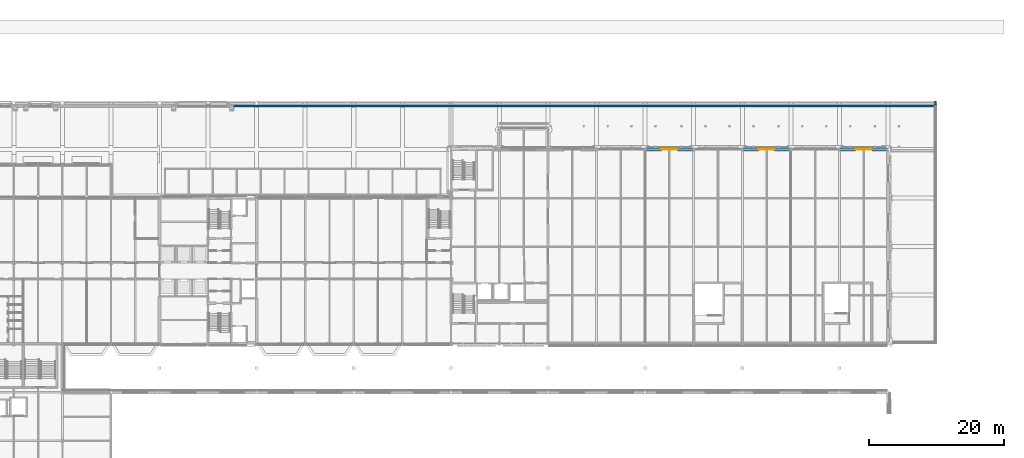
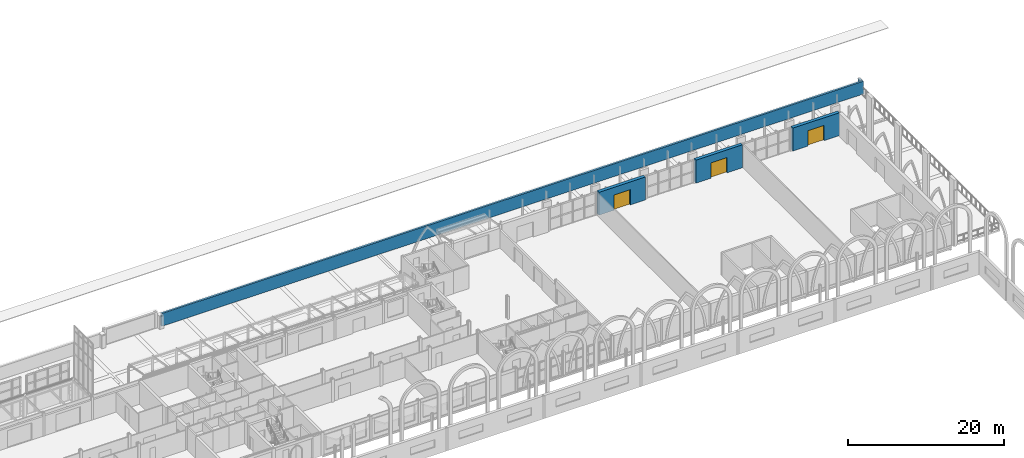
# One storey, part 87 of 143: 5 walls, 3 doors, 3 openings.
"""IFC4 building model written with IfcOpenShell, lengths in metres."""

from ifc_helpers import new_model, si_unit, direction, frame, frame_2d, origin, place, context, subcontext, project, spatial, rectangle, extrude, material, layer, layer_set, type_object, element, fill, save


model = new_model("IFC4")

# Units and contexts
model_context = context("Model", 3, precision=1e-05, world=origin(), true_north=direction((0.0, 1.0)))
body_context = subcontext(model_context, "Body", "Model", "MODEL_VIEW")
ifc_project = project(units=[si_unit("LENGTHUNIT", "METRE"), si_unit("AREAUNIT", "SQUARE_METRE"), si_unit("VOLUMEUNIT", "CUBIC_METRE"), si_unit("PLANEANGLEUNIT", "RADIAN"), si_unit("MASSUNIT", "GRAM", prefix="KILO")], contexts=[model_context])

# Site, building, storey
site_placement = place(None, origin())
site = spatial("IfcSite", under=ifc_project, at=site_placement, CompositionType="ELEMENT")
building_placement = place(site_placement, origin())
building = spatial("IfcBuilding", under=site, at=building_placement, Name="Kupolbacken Congress Centre", CompositionType="ELEMENT")
storey_placement = place(building_placement, frame((0.0, 0.0, 7.199951171875)))
storey = spatial("IfcBuildingStorey", under=building, at=storey_placement, Name="L02", CompositionType="ELEMENT", Elevation=7.199951171875)

# Walls
ifc_material_1 = material(Name="Brick", Category="masonry")
ifc_layer_1 = layer(ifc_material_1, 0.10791015625)
ifc_material_2 = material(Name="Concrete block", Category="masonry")
ifc_layer_2 = layer(ifc_material_2, 0.19189453125)
ifc_layer_set_1 = layer_set([ifc_layer_1, ifc_layer_2], Name="Brick / Concrete block")
wall_type_1 = type_object("IfcWallType", Name="BW1 boundary wall 300", PredefinedType="SOLIDWALL", material=ifc_layer_set_1)
wall_1_placement = place(storey_placement, frame((104.60009765625, 157.64990234375, 0.0), z_axis=(0.0, 0.0, 1.0), x_axis=(1.0, 0.0, 0.0)))
element("IfcWall", 1, at=wall_1_placement, inside=storey, type_object=wall_type_1, Name="Boundary wall upper 12", PredefinedType="SOLIDWALL", context=body_context, shape_type="SweptSolid", body=[
    extrude(rectangle(XDim=104.198974609375, YDim=0.300048828125, at=frame_2d((52.099609375, 0.0))), origin(), (0.0, 0.0, 1.0), 2.0),
])
wall_2_placement = place(storey_placement, frame((208.64892578125, 157.800048828125, 0.0), z_axis=(0.0, 0.0, 1.0), x_axis=(0.0, 1.0, 0.0)))
element("IfcWall", 2, at=wall_2_placement, inside=storey, type_object=wall_type_1, Name="Boundary wall return east", PredefinedType="SOLIDWALL", context=body_context, shape_type="SweptSolid", body=[
    extrude(rectangle(XDim=0.598876953125, YDim=0.300048828125, at=frame_2d((0.29931640625, 0.0))), origin(), (0.0, 0.0, 1.0), 2.0),
])

# Wall, opening, door
ifc_material_3 = material(Name="Limestone", Category="masonry")
ifc_layer_3 = layer(ifc_material_3, 0.14990234375)
ifc_material_4 = material(Name="Air cavity", Category="air")
ifc_layer_4 = layer(ifc_material_4, 0.0400390625, ventilated=True)
ifc_material_5 = material(Name="Mineral wool", Category="insulation")
ifc_layer_5 = layer(ifc_material_5, 0.169921875)
ifc_layer_6 = layer(ifc_material_2, 0.1201171875)
ifc_layer_set_2 = layer_set([ifc_layer_3, ifc_layer_4, ifc_layer_5, ifc_layer_6], Name="Limestone / Mineral wool / Concrete block")
wall_type_2 = type_object("IfcWallType", Name="EW07 external cavity wall 480", PredefinedType="SOLIDWALL", material=ifc_layer_set_2)
wall_3_placement = place(storey_placement, frame((201.449951171875, 151.199951171875, 0.0), z_axis=(0.0, 0.0, 1.0), x_axis=(-1.0, 0.0, 0.0)))
wall_3 = element("IfcWall", 3, at=wall_3_placement, inside=storey, type_object=wall_type_2, Name="E/B/N/L02/205", PredefinedType="SOLIDWALL", context=body_context, shape_type="SweptSolid", body=[
    extrude(rectangle(XDim=6.89990234375, YDim=0.47998046875, at=frame_2d((3.449951171875, 0.0))), origin(), (0.0, 0.0, 1.0), 3.60009765625),
])
opening_1_placement = place(wall_3_placement, frame((2.25, 0.0, 0.0)))
opening_1 = element("IfcOpeningElement", 4, at=opening_1_placement, cuts=wall_3, Name="Opening D18", PredefinedType="OPENING", context=body_context, shape_type="SweptSolid", body=[
    extrude(rectangle(XDim=2.39990234375, YDim=2.39990234375, at=frame_2d((1.199951171875, 1.199951171875))), frame((0.0, 0.25, 0.0), z_axis=(0.0, -1.0, 0.0), x_axis=(1.0, 0.0, 0.0)), (0.0, 0.0, 1.0), 0.5),
])
ifc_material_6 = material(Name="Timber door leaf", Category="wood")
door_type = type_object("IfcDoorType", Name="D18 door 2400x2400", OperationType="DOUBLE_DOOR_SINGLE_SWING", PredefinedType="DOOR", material=ifc_material_6)
door_1_placement = place(opening_1_placement, frame((2.39990234375, 0.0, 0.0), z_axis=(0.0, 0.0, 1.0), x_axis=(-1.0, 0.0, 0.0)))
door_1 = element("IfcDoor", 5, at=door_1_placement, inside=storey, type_object=door_type, Name="Ballroom exit N4", OperationType="DOUBLE_DOOR_SINGLE_SWING", OverallHeight=2.39990234375, OverallWidth=2.39990234375, PredefinedType="DOOR", context=body_context, shape_type="SweptSolid", body=[
    extrude(rectangle(XDim=2.39990234375, YDim=2.39990234375, at=frame_2d((1.199951171875, 1.199951171875))), frame((0.0, 0.02490234375, 0.0), z_axis=(0.0, -1.0, 0.0), x_axis=(1.0, 0.0, 0.0)), (0.0, 0.0, 1.0), 0.050048828125),
])
fill(opening_1, door_1)

wall_4_placement = place(storey_placement, frame((187.050048828125, 151.199951171875, 0.0), z_axis=(0.0, 0.0, 1.0), x_axis=(-1.0, 0.0, 0.0)))
wall_4 = element("IfcWall", 6, at=wall_4_placement, inside=storey, type_object=wall_type_2, Name="E/B/N/L02/207", PredefinedType="SOLIDWALL", context=body_context, shape_type="SweptSolid", body=[
    extrude(rectangle(XDim=6.900146484375, YDim=0.47998046875, at=frame_2d((3.4501953125, 0.0))), origin(), (0.0, 0.0, 1.0), 3.60009765625),
])
opening_2_placement = place(wall_4_placement, frame((2.25, 0.0, 0.0)))
opening_2 = element("IfcOpeningElement", 7, at=opening_2_placement, cuts=wall_4, Name="Opening D18", PredefinedType="OPENING", context=body_context, shape_type="SweptSolid", body=[
    extrude(rectangle(XDim=2.39990234375, YDim=2.39990234375, at=frame_2d((1.199951171875, 1.199951171875))), frame((0.0, 0.25, 0.0), z_axis=(0.0, -1.0, 0.0), x_axis=(1.0, 0.0, 0.0)), (0.0, 0.0, 1.0), 0.5),
])
door_2_placement = place(opening_2_placement, frame((2.39990234375, 0.0, 0.0), z_axis=(0.0, 0.0, 1.0), x_axis=(-1.0, 0.0, 0.0)))
door_2 = element("IfcDoor", 8, at=door_2_placement, inside=storey, type_object=door_type, Name="Ballroom exit N3", OperationType="DOUBLE_DOOR_SINGLE_SWING", OverallHeight=2.39990234375, OverallWidth=2.39990234375, PredefinedType="DOOR", context=body_context, shape_type="SweptSolid", body=[
    extrude(rectangle(XDim=2.39990234375, YDim=2.39990234375, at=frame_2d((1.199951171875, 1.199951171875))), frame((0.0, 0.02490234375, 0.0), z_axis=(0.0, -1.0, 0.0), x_axis=(1.0, 0.0, 0.0)), (0.0, 0.0, 1.0), 0.050048828125),
])
fill(opening_2, door_2)

wall_5_placement = place(storey_placement, frame((172.64990234375, 151.199951171875, 0.0), z_axis=(0.0, 0.0, 1.0), x_axis=(-1.0, 0.0, 0.0)))
wall_5 = element("IfcWall", 9, at=wall_5_placement, inside=storey, type_object=wall_type_2, Name="E/B/N/L02/209", PredefinedType="SOLIDWALL", context=body_context, shape_type="SweptSolid", body=[
    extrude(rectangle(XDim=6.89990234375, YDim=0.47998046875, at=frame_2d((3.449951171875, 0.0))), origin(), (0.0, 0.0, 1.0), 3.60009765625),
])
opening_3_placement = place(wall_5_placement, frame((2.25, 0.0, 0.0)))
opening_3 = element("IfcOpeningElement", 10, at=opening_3_placement, cuts=wall_5, Name="Opening D18", PredefinedType="OPENING", context=body_context, shape_type="SweptSolid", body=[
    extrude(rectangle(XDim=2.39990234375, YDim=2.39990234375, at=frame_2d((1.199951171875, 1.199951171875))), frame((0.0, 0.25, 0.0), z_axis=(0.0, -1.0, 0.0), x_axis=(1.0, 0.0, 0.0)), (0.0, 0.0, 1.0), 0.5),
])
door_3_placement = place(opening_3_placement, frame((2.39990234375, 0.0, 0.0), z_axis=(0.0, 0.0, 1.0), x_axis=(-1.0, 0.0, 0.0)))
door_3 = element("IfcDoor", 11, at=door_3_placement, inside=storey, type_object=door_type, Name="Ballroom exit N2", OperationType="DOUBLE_DOOR_SINGLE_SWING", OverallHeight=2.39990234375, OverallWidth=2.39990234375, PredefinedType="DOOR", context=body_context, shape_type="SweptSolid", body=[
    extrude(rectangle(XDim=2.39990234375, YDim=2.39990234375, at=frame_2d((1.199951171875, 1.199951171875))), frame((0.0, 0.02490234375, 0.0), z_axis=(0.0, -1.0, 0.0), x_axis=(1.0, 0.0, 0.0)), (0.0, 0.0, 1.0), 0.050048828125),
])
fill(opening_3, door_3)

save(model, "model.ifc")
